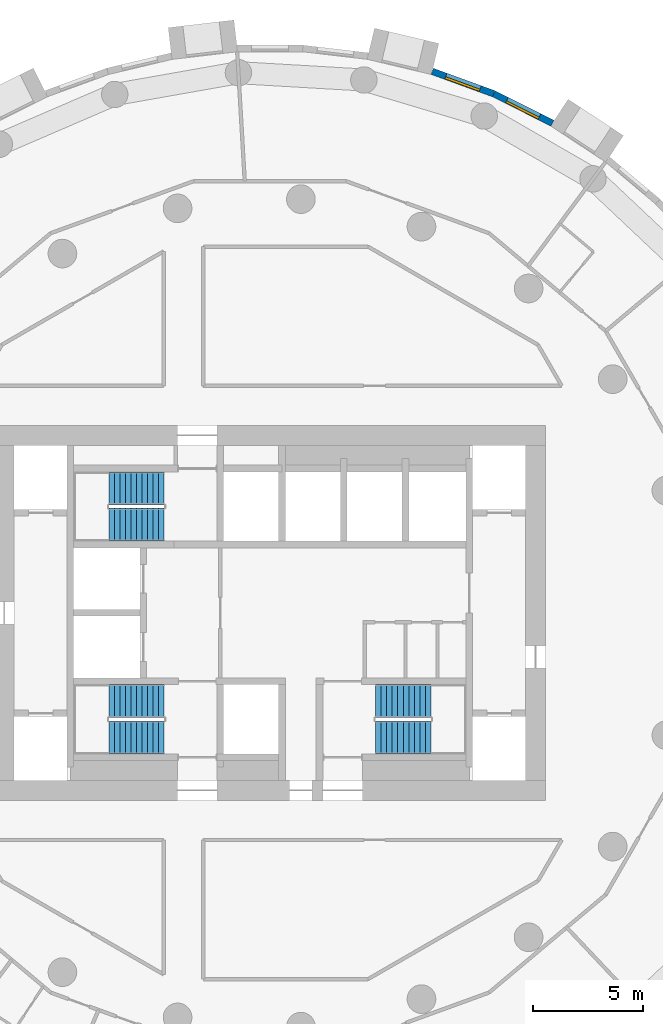
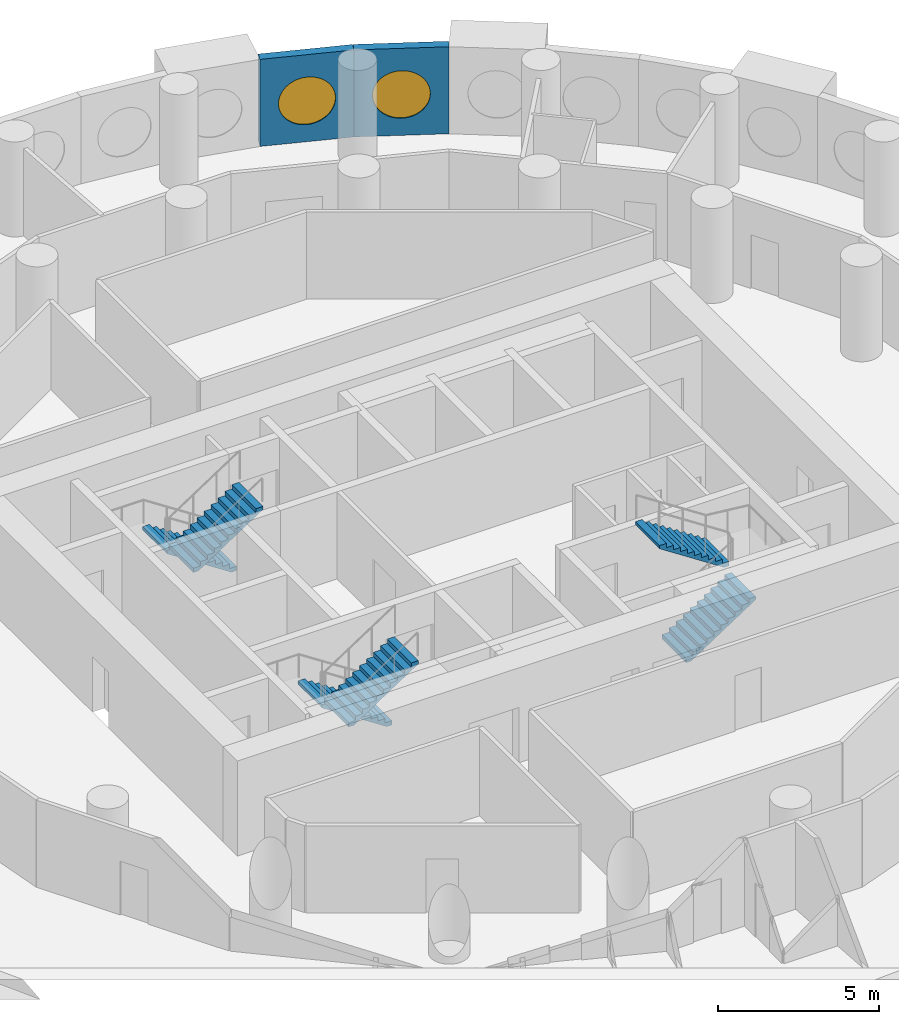
# One storey, part 8 of 9: 6 stair flights, 2 walls, 2 windows, 2 openings, 3 elements without a shape of their own.
"""IFC4 building model written with IfcOpenShell, lengths in metres."""

import ifcopenshell
import ifcopenshell.guid

model = None  # the IFC model being written
_history = None  # IfcOwnerHistory: only IFC2X3 demands one
_inside = {}  # id of a spatial element -> (the spatial element, [elements in it])
_under = {}  # id of a project, library or spatial element -> (it, [spatial elements below it])
_declared = {}  # id of a project -> (the project, [libraries it declares])
_typed = {}  # id of a type object -> (the type object, [elements of that type])
_made_of = {}  # id of a material, layer set ... -> (it, [elements and type objects made of it])


def new_model(schema):
    """Start an empty IFC model of exactly this schema.

    Asked for "IFC4X3", IfcOpenShell would pick the latest addendum, in which some entities
    have other attributes; the version numbers below select the first issue.
    IFC2X3 requires an IfcOwnerHistory on every rooted entity: one is made here for all.
    """
    global model, _history
    if schema == "IFC4X3":
        model = ifcopenshell.file(schema_version=(4, 3, 0, 0))
    else:
        model = ifcopenshell.file(schema=schema)
    _inside.clear()
    _under.clear()
    _declared.clear()
    _typed.clear()
    _made_of.clear()
    _history = None
    if model.schema == "IFC2X3":
        org = make("IfcOrganization", Name="unknown")
        user = make(
            "IfcPersonAndOrganization",
            ThePerson=make("IfcPerson", FamilyName="unknown"),
            TheOrganization=org,
        )
        app = make(
            "IfcApplication",
            ApplicationDeveloper=org,
            Version="unknown",
            ApplicationFullName="unknown",
            ApplicationIdentifier="unknown",
        )
        _history = make(
            "IfcOwnerHistory",
            OwningUser=user,
            OwningApplication=app,
            ChangeAction="ADDED",
            CreationDate=0,
        )
    return model


def make(cls, **values):
    """One entity of the class cls with the attributes given. An attribute that is None is left unset."""
    return model.create_entity(
        cls, **{name: value for name, value in values.items() if value is not None}
    )


def rooted(cls, **values):
    """An entity with a GlobalId (a new one), such as an element, a storey or a relation."""
    return make(cls, GlobalId=ifcopenshell.guid.new(), OwnerHistory=_history, **values)


def si_unit(unit_type, name, prefix=None):
    """IfcSIUnit, for example si_unit("LENGTHUNIT", "METRE", prefix="MILLI")."""
    return make("IfcSIUnit", UnitType=unit_type, Prefix=prefix, Name=name)


def assignment(units):
    """IfcUnitAssignment: the units of a project."""
    return None if units is None else make("IfcUnitAssignment", Units=units)


def point(xyz):
    """IfcCartesianPoint."""
    return None if xyz is None else make("IfcCartesianPoint", Coordinates=xyz)


def direction(xyz):
    """IfcDirection."""
    return None if xyz is None else make("IfcDirection", DirectionRatios=xyz)


def frame(location, z_axis=None, x_axis=None):
    """IfcAxis2Placement3D, a coordinate frame: its origin and axes. An axis left out is left unset."""
    return make(
        "IfcAxis2Placement3D",
        Location=point(location),
        Axis=direction(z_axis),
        RefDirection=direction(x_axis),
    )


def frame_2d(location, x_axis=None):
    """IfcAxis2Placement2D, a coordinate frame in the plane: its origin and x axis."""
    return make(
        "IfcAxis2Placement2D", Location=point(location), RefDirection=direction(x_axis)
    )


def origin():
    """The frame at (0, 0, 0) with its axes left unset."""
    return frame((0.0, 0.0, 0.0))


def origin_2d():
    """The frame at (0, 0) in the plane with its x axis left unset."""
    return frame_2d((0.0, 0.0))


def place(relative_to, where):
    """IfcLocalPlacement: puts the frame where relative to a parent placement (None: the world)."""
    return make(
        "IfcLocalPlacement", PlacementRelTo=relative_to, RelativePlacement=where
    )


def context(
    kind, dimensions, precision=None, world=None, true_north=None, identifier=None
):
    """IfcGeometricRepresentationContext, for example the 3D "Model" context."""
    return make(
        "IfcGeometricRepresentationContext",
        ContextIdentifier=identifier,
        ContextType=kind,
        CoordinateSpaceDimension=dimensions,
        Precision=precision,
        WorldCoordinateSystem=world,
        TrueNorth=true_north,
    )


def subcontext(parent, identifier, kind, view, scale=None):
    """IfcGeometricRepresentationSubContext, for example "Body" below "Model"."""
    return make(
        "IfcGeometricRepresentationSubContext",
        ContextIdentifier=identifier,
        ContextType=kind,
        ParentContext=parent,
        TargetScale=scale,
        TargetView=view,
    )


def project(units=None, contexts=None):
    """IfcProject with its units and contexts."""
    return rooted(
        "IfcProject",
        Name="project",
        RepresentationContexts=contexts,
        UnitsInContext=assignment(units),
    )


def spatial(cls, under=None, at=None, **own):
    """A site, building, storey or space (cls), placed at a placement, below another one or the project."""
    s = rooted(cls, ObjectPlacement=at, **own)
    if under is not None:
        _under.setdefault(under.id(), (under, []))[1].append(s)
    return s


def polyline(points):
    """IfcPolyline through the points."""
    return make("IfcPolyline", Points=[point(p) for p in points])


def profile(cls, at=None, kind="AREA", **sizes):
    """A parametric profile (cls). Its sizes go by their IFC names, for example OverallWidth=200.0."""
    return make(cls, ProfileType=kind, Position=at, **sizes)


def rectangle(**sizes):
    """IfcRectangleProfileDef."""
    return profile("IfcRectangleProfileDef", **sizes)


def circle(**sizes):
    """IfcCircleProfileDef."""
    return profile("IfcCircleProfileDef", **sizes)


def outline(outer, holes=None, kind="AREA"):
    """IfcArbitraryClosedProfileDef: a profile drawn as a closed curve; with holes, ...WithVoids."""
    if holes is None:
        return make("IfcArbitraryClosedProfileDef", ProfileType=kind, OuterCurve=outer)
    return make(
        "IfcArbitraryProfileDefWithVoids",
        ProfileType=kind,
        OuterCurve=outer,
        InnerCurves=holes,
    )


def extrude(swept, where, along, depth):
    """IfcExtrudedAreaSolid: the profile swept, set in the frame where, extruded along a direction by depth."""
    return make(
        "IfcExtrudedAreaSolid",
        SweptArea=swept,
        Position=where,
        ExtrudedDirection=direction(along),
        Depth=depth,
    )


def shape(context_of_items, identifier, shape_type, items):
    """IfcShapeRepresentation: the items that make up one representation, for example the "Body"."""
    return make(
        "IfcShapeRepresentation",
        ContextOfItems=context_of_items,
        RepresentationIdentifier=identifier,
        RepresentationType=shape_type,
        Items=items,
    )


def material(Name=None, Category=None):
    """IfcMaterial."""
    return make("IfcMaterial", Name=Name, Category=Category)


def layer(
    of_material, thickness, ventilated=None, Name=None, Category=None, Priority=None
):
    """IfcMaterialLayer: one layer of a wall or slab, of a material (None: an air gap)."""
    return make(
        "IfcMaterialLayer",
        Material=of_material,
        LayerThickness=thickness,
        IsVentilated=ventilated,
        Name=Name,
        Category=Category,
        Priority=Priority,
    )


def layer_set(layers, Name=None):
    """IfcMaterialLayerSet."""
    return make("IfcMaterialLayerSet", MaterialLayers=layers, LayerSetName=Name)


def made_of(thing, what):
    """Note that an element or type object is made of a material, layer set ...; save() writes the relation."""
    if what is not None:
        _made_of.setdefault(what.id(), (what, []))[1].append(thing)
    return thing


def type_object(cls, material=None, **own):
    """A type object (cls), such as IfcWallType, which elements share."""
    return made_of(rooted(cls, **own), material)


def element(
    cls,
    number,
    at=None,
    inside=None,
    cuts=None,
    type_object=None,
    material=None,
    context=None,
    identifier="Body",
    shape_type=None,
    held_by="IfcProductDefinitionShape",
    body=None,
    shapes=None,
    **own,
):
    """One element of the class cls, such as IfcWall. Its Tag is "e" and its number.

    at: its placement. inside: the storey or other place that contains it. cuts: it is an
    opening in that element (IfcRelVoidsElement). A single representation is given by context,
    identifier, shape_type and body (its items); several are given by shapes. held_by: the class
    of the entity that holds the representations. save() writes the other relations.
    """
    e = rooted(cls, Tag="e%d" % number, ObjectPlacement=at, **own)
    if body is not None:
        shapes = [shape(context, identifier, shape_type, body)]
    if shapes is not None:
        e.Representation = make(held_by, Representations=shapes)
    if inside is not None:
        _inside.setdefault(inside.id(), (inside, []))[1].append(e)
    if cuts is not None:
        rooted(
            "IfcRelVoidsElement", RelatingBuildingElement=cuts, RelatedOpeningElement=e
        )
    if type_object is not None:
        _typed.setdefault(type_object.id(), (type_object, []))[1].append(e)
    return made_of(e, material)


def fill(opening, filler):
    """IfcRelFillsElement: the door or window that sits in an opening."""
    return rooted(
        "IfcRelFillsElement",
        RelatingOpeningElement=opening,
        RelatedBuildingElement=filler,
    )


def aggregate(whole, parts):
    """IfcRelAggregates: a whole, such as a stair, and the parts it consists of."""
    return rooted("IfcRelAggregates", RelatingObject=whole, RelatedObjects=parts)


def save(model, path):
    """Write the relations noted so far, then the file.

    IfcRelAggregates (storeys below a building ...), IfcRelContainedInSpatialStructure (elements
    in a storey), IfcRelDefinesByType, IfcRelAssociatesMaterial and IfcRelDeclares: one each for
    every whole, place, type object, material and project.
    """
    for whole, parts in _under.values():
        aggregate(whole, parts)
    for where, things in _inside.values():
        rooted(
            "IfcRelContainedInSpatialStructure",
            RelatedElements=things,
            RelatingStructure=where,
        )
    for kind, things in _typed.values():
        rooted("IfcRelDefinesByType", RelatedObjects=things, RelatingType=kind)
    for what, things in _made_of.values():
        rooted("IfcRelAssociatesMaterial", RelatedObjects=things, RelatingMaterial=what)
    for by, libraries in _declared.values():
        rooted("IfcRelDeclares", RelatingContext=by, RelatedDefinitions=libraries)
    model.write(path)


model = new_model("IFC4")

# Units and contexts
model_context = context("Model", 3, precision=1e-05, world=origin(), true_north=direction((0.0, 1.0)))
body_context = subcontext(model_context, "Body", "Model", "MODEL_VIEW")
ifc_project = project(units=[si_unit("LENGTHUNIT", "METRE"), si_unit("AREAUNIT", "SQUARE_METRE"), si_unit("VOLUMEUNIT", "CUBIC_METRE"), si_unit("PLANEANGLEUNIT", "RADIAN"), si_unit("MASSUNIT", "GRAM", prefix="KILO")], contexts=[model_context])

# Site, building, storey
site_placement = place(None, origin())
site = spatial("IfcSite", under=ifc_project, at=site_placement, CompositionType="ELEMENT")
building_placement = place(site_placement, origin())
building = spatial("IfcBuilding", under=site, at=building_placement, Name="Tracery Tower", CompositionType="ELEMENT")
storey_placement = place(building_placement, frame((0.0, 0.0, 180.0)))
storey = spatial("IfcBuildingStorey", under=building, at=storey_placement, Name="L46", CompositionType="ELEMENT", Elevation=180.0)

# Wall, opening, window
ifc_material_1 = material(Name="Precast concrete C50/60", Category="concrete")
ifc_layer = layer(ifc_material_1, 0.300048828125)
ifc_layer_set = layer_set([ifc_layer], Name="Facade panel 3000 x 3300")
wall_type = type_object("IfcWallType", Name="Facade panel 3000 x 3300", PredefinedType="SOLIDWALL", material=ifc_layer_set)
wall_1_placement = place(storey_placement, frame((12.815185546875, 22.215576171875, 0.0), z_axis=(0.0, 0.0, 1.0), x_axis=(-0.893637442555, 0.448789618045, 0.0)))
wall_1 = element("IfcWall", 1, at=wall_1_placement, inside=storey, type_object=wall_type, Name="Facade panel 10 at L46", PredefinedType="SOLIDWALL", context=body_context, shape_type="SweptSolid", body=[
    extrude(rectangle(XDim=2.972900390625, YDim=0.300048828125, at=frame_2d((1.486328125, 0.0))), origin(), (0.0, 0.0, 1.0), 3.300048828125),
])
opening_1_placement = place(wall_1_placement, frame((1.486328125, 0.0, 1.5498046875)))
opening_1 = element("IfcOpeningElement", 2, at=opening_1_placement, cuts=wall_1, Name="Opening WN1", PredefinedType="OPENING", context=body_context, shape_type="SweptSolid", body=[
    extrude(circle(Radius=0.9000244140625, at=origin_2d()), frame((0.0, 0.159912109375, 0.0), z_axis=(0.0, -1.0, 0.0), x_axis=(1.0, 0.0, 0.0)), (0.0, 0.0, 1.0), 0.320068359375),
])
ifc_material_2 = material(Name="Aluminium frame with tinted double glazing", Category="aluminium")
window_type = type_object("IfcWindowType", Name="Round window 1800", PartitioningType="SINGLE_PANEL", PredefinedType="WINDOW", material=ifc_material_2)
window_1_placement = place(opening_1_placement, origin())
window_1 = element("IfcWindow", 3, at=window_1_placement, inside=storey, type_object=window_type, Name="Round window 10 at L46", OverallHeight=1.800048828125, OverallWidth=1.800048828125, PartitioningType="SINGLE_PANEL", PredefinedType="WINDOW", context=body_context, shape_type="SweptSolid", body=[
    extrude(circle(Radius=0.9000244140625, at=origin_2d()), frame((0.0, 0.1201171875, 0.0), z_axis=(0.0, -1.0, 0.0), x_axis=(1.0, 0.0, 0.0)), (0.0, 0.0, 1.0), 0.10009765625),
])
fill(opening_1, window_1)

wall_2_placement = place(storey_placement, frame((10.158447265625, 23.5498046875, 0.0), z_axis=(0.0, 0.0, 1.0), x_axis=(-0.939690282133, 0.342026568652, 0.0)))
wall_2 = element("IfcWall", 4, at=wall_2_placement, inside=storey, type_object=wall_type, Name="Facade panel 11 at L46", PredefinedType="SOLIDWALL", context=body_context, shape_type="SweptSolid", body=[
    extrude(rectangle(XDim=2.972900390625, YDim=0.300048828125, at=frame_2d((1.486328125, 0.0))), origin(), (0.0, 0.0, 1.0), 3.300048828125),
])
opening_2_placement = place(wall_2_placement, frame((1.486328125, 0.0, 1.5498046875)))
opening_2 = element("IfcOpeningElement", 5, at=opening_2_placement, cuts=wall_2, Name="Opening WN1", PredefinedType="OPENING", context=body_context, shape_type="SweptSolid", body=[
    extrude(circle(Radius=0.9000244140625, at=origin_2d()), frame((0.0, 0.159912109375, 0.0), z_axis=(0.0, -1.0, 0.0), x_axis=(1.0, 0.0, 0.0)), (0.0, 0.0, 1.0), 0.320068359375),
])
window_2_placement = place(opening_2_placement, origin())
window_2 = element("IfcWindow", 6, at=window_2_placement, inside=storey, type_object=window_type, Name="Round window 11 at L46", OverallHeight=1.800048828125, OverallWidth=1.800048828125, PartitioningType="SINGLE_PANEL", PredefinedType="WINDOW", context=body_context, shape_type="SweptSolid", body=[
    extrude(circle(Radius=0.9000244140625, at=origin_2d()), frame((0.0, 0.1201171875, 0.0), z_axis=(0.0, -1.0, 0.0), x_axis=(1.0, 0.0, 0.0)), (0.0, 0.0, 1.0), 0.10009765625),
])
fill(opening_2, window_2)

# Stair, stair flights
ifc_material_3 = material(Name="Concrete C32/40", Category="concrete")
stair_type = type_object("IfcStairType", Name="Core stair 22 risers", PredefinedType="HALF_TURN_STAIR", material=ifc_material_3)
stair_1_placement = place(storey_placement, origin())
stair_1 = element("IfcStair", 7, at=stair_1_placement, inside=storey, type_object=stair_type, Name="L46 stair ST1", PredefinedType="HALF_TURN_STAIR")
ifc_material_4 = material(Name="Concrete C32/40", Category="concrete")
stair_flight_type = type_object("IfcStairFlightType", Name="Core stair flight 11 risers", PredefinedType="STRAIGHT", material=ifc_material_4)
stair_flight_1_placement = place(storey_placement, frame((-4.800048828125, -4.0, 0.0), z_axis=(0.0, 0.0, 1.0), x_axis=(-1.0, 0.0, 0.0)))
stair_flight_1 = element("IfcStairFlight", 8, at=stair_flight_1_placement, type_object=stair_flight_type, Name="ST1 flight 1", NumberOfRisers=11, NumberOfTreads=10, PredefinedType="STRAIGHT", RiserHeight=0.163636364, TreadLength=0.25, context=body_context, shape_type="SweptSolid", body=[
    extrude(outline(polyline([(0.0, 0.0), (0.0, 0.002685546875), (0.0, 0.00537109375), (0.0, 0.008056640625), (0.0, 0.0107421875), (0.0, 0.013427734375), (0.0, 0.01611328125), (0.0, 0.018798828125), (0.0, 0.021484375), (0.0, 0.024169921875), (0.0, 0.02685546875), (0.0, 0.029541015625), (0.0, 0.0322265625), (0.0, 0.034912109375), (0.0, 0.03759765625), (0.0, 0.040283203125), (0.0, 0.04296875), (0.0, 0.045654296875), (0.0, 0.04833984375), (0.0, 0.051025390625), (0.0, 0.0537109375), (0.0, 0.056396484375), (0.0, 0.05908203125), (0.0, 0.061767578125), (0.0, 0.064453125), (0.0, 0.067138671875), (0.0, 0.06982421875), (0.0, 0.072509765625), (0.0, 0.0751953125), (0.0, 0.077880859375), (0.0, 0.08056640625), (0.0, 0.083251953125), (0.0, 0.0859375), (0.0, 0.088623046875), (0.0, 0.09130859375), (0.0, 0.093994140625), (0.0, 0.0966796875), (0.0, 0.099365234375), (0.0, 0.10205078125), (0.0, 0.104736328125), (0.0, 0.107421875), (0.0, 0.10986328125), (0.0, 0.112548828125), (0.0, 0.115234375), (0.0, 0.117919921875), (0.0, 0.12060546875), (0.0, 0.123291015625), (0.0, 0.1259765625), (0.0, 0.128662109375), (0.0, 0.13134765625), (0.0, 0.134033203125), (0.0, 0.13671875), (0.0, 0.139404296875), (0.0, 0.14208984375), (0.0, 0.144775390625), (0.0, 0.1474609375), (0.0, 0.150146484375), (0.0, 0.15283203125), (0.0, 0.155517578125), (0.0, 0.158203125), (0.0, 0.160888671875), (0.0, 0.16357421875), (0.25, 0.16357421875), (0.25, 0.327392578125), (0.5, 0.327392578125), (0.5, 0.490966796875), (0.75, 0.490966796875), (0.75, 0.654541015625), (1.0, 0.654541015625), (1.0, 0.818115234375), (1.25, 0.818115234375), (1.25, 0.98193359375), (1.5, 0.98193359375), (1.5, 1.1455078125), (1.75, 1.1455078125), (1.75, 1.30908203125), (2.0, 1.30908203125), (2.0, 1.47265625), (2.25, 1.47265625), (2.25, 1.636474609375), (2.5, 1.636474609375), (2.5, 1.634521484375), (2.5, 1.63232421875), (2.5, 1.63037109375), (2.5, 1.62841796875), (2.5, 1.62646484375), (2.5, 1.62451171875), (2.5, 1.62255859375), (2.5, 1.62060546875), (2.5, 1.61865234375), (2.5, 1.61669921875), (2.5, 1.61474609375), (2.5, 1.61279296875), (2.5, 1.61083984375), (2.5, 1.60888671875), (2.5, 1.60693359375), (2.5, 1.60498046875), (2.5, 1.60302734375), (2.5, 1.60107421875), (2.5, 1.59912109375), (2.5, 1.59716796875), (2.5, 1.59521484375), (2.5, 1.59326171875), (2.5, 1.59130859375), (2.5, 1.58935546875), (2.5, 1.58740234375), (2.5, 1.58544921875), (2.5, 1.58349609375), (2.5, 1.58154296875), (2.5, 1.57958984375), (2.5, 1.57763671875), (2.5, 1.57568359375), (2.5, 1.573486328125), (2.5, 1.571533203125), (2.5, 1.569580078125), (2.5, 1.567626953125), (2.5, 1.565673828125), (2.5, 1.563720703125), (2.5, 1.561767578125), (2.5, 1.559814453125), (2.5, 1.557861328125), (2.5, 1.555908203125), (2.5, 1.553955078125), (2.5, 1.552001953125), (2.5, 1.550048828125), (2.5, 1.548095703125), (2.5, 1.546142578125), (2.5, 1.544189453125), (2.5, 1.542236328125), (2.5, 1.540283203125), (2.5, 1.538330078125), (2.5, 1.536376953125), (2.5, 1.534423828125), (2.5, 1.532470703125), (2.5, 1.530517578125), (2.5, 1.528564453125), (2.5, 1.526611328125), (2.5, 1.524658203125), (2.5, 1.522705078125), (2.5, 1.520751953125), (2.5, 1.518798828125), (2.5, 1.516845703125), (0.182861328125, 0.0), (0.0, 0.0)])), frame((0.0, 0.75, 0.0), z_axis=(0.0, -1.0, 0.0), x_axis=(1.0, 0.0, 0.0)), (0.0, 0.0, 1.0), 1.5),
])
stair_flight_2_placement = place(storey_placement, frame((-7.300048828125, -5.64990234375, 1.800048828125), z_axis=(0.0, 0.0, 1.0), x_axis=(1.0, 0.0, 0.0)))
stair_flight_2 = element("IfcStairFlight", 9, at=stair_flight_2_placement, type_object=stair_flight_type, Name="ST1 flight 2", NumberOfRisers=11, NumberOfTreads=10, PredefinedType="STRAIGHT", RiserHeight=0.163636364, TreadLength=0.25, context=body_context, shape_type="SweptSolid", body=[
    extrude(outline(polyline([(0.0, 0.0), (0.0, 0.002685546875), (0.0, 0.00537109375), (0.0, 0.008056640625), (0.0, 0.0107421875), (0.0, 0.013427734375), (0.0, 0.01611328125), (0.0, 0.018798828125), (0.0, 0.021484375), (0.0, 0.024169921875), (0.0, 0.02685546875), (0.0, 0.029541015625), (0.0, 0.0322265625), (0.0, 0.034912109375), (0.0, 0.03759765625), (0.0, 0.040283203125), (0.0, 0.04296875), (0.0, 0.045654296875), (0.0, 0.04833984375), (0.0, 0.051025390625), (0.0, 0.0537109375), (0.0, 0.056396484375), (0.0, 0.05908203125), (0.0, 0.061767578125), (0.0, 0.064453125), (0.0, 0.067138671875), (0.0, 0.06982421875), (0.0, 0.072509765625), (0.0, 0.0751953125), (0.0, 0.077880859375), (0.0, 0.08056640625), (0.0, 0.083251953125), (0.0, 0.0859375), (0.0, 0.088623046875), (0.0, 0.09130859375), (0.0, 0.093994140625), (0.0, 0.0966796875), (0.0, 0.099365234375), (0.0, 0.10205078125), (0.0, 0.104736328125), (0.0, 0.107421875), (0.0, 0.10986328125), (0.0, 0.112548828125), (0.0, 0.115234375), (0.0, 0.117919921875), (0.0, 0.12060546875), (0.0, 0.123291015625), (0.0, 0.1259765625), (0.0, 0.128662109375), (0.0, 0.13134765625), (0.0, 0.134033203125), (0.0, 0.13671875), (0.0, 0.139404296875), (0.0, 0.14208984375), (0.0, 0.144775390625), (0.0, 0.1474609375), (0.0, 0.150146484375), (0.0, 0.15283203125), (0.0, 0.155517578125), (0.0, 0.158203125), (0.0, 0.160888671875), (0.0, 0.16357421875), (0.25, 0.16357421875), (0.25, 0.327392578125), (0.5, 0.327392578125), (0.5, 0.490966796875), (0.75, 0.490966796875), (0.75, 0.654541015625), (1.0, 0.654541015625), (1.0, 0.818115234375), (1.25, 0.818115234375), (1.25, 0.98193359375), (1.5, 0.98193359375), (1.5, 1.1455078125), (1.75, 1.1455078125), (1.75, 1.30908203125), (2.0, 1.30908203125), (2.0, 1.47265625), (2.25, 1.47265625), (2.25, 1.636474609375), (2.5, 1.636474609375), (2.5, 1.634521484375), (2.5, 1.63232421875), (2.5, 1.63037109375), (2.5, 1.62841796875), (2.5, 1.62646484375), (2.5, 1.62451171875), (2.5, 1.62255859375), (2.5, 1.62060546875), (2.5, 1.61865234375), (2.5, 1.61669921875), (2.5, 1.61474609375), (2.5, 1.61279296875), (2.5, 1.61083984375), (2.5, 1.60888671875), (2.5, 1.60693359375), (2.5, 1.60498046875), (2.5, 1.60302734375), (2.5, 1.60107421875), (2.5, 1.59912109375), (2.5, 1.59716796875), (2.5, 1.59521484375), (2.5, 1.59326171875), (2.5, 1.59130859375), (2.5, 1.58935546875), (2.5, 1.58740234375), (2.5, 1.58544921875), (2.5, 1.58349609375), (2.5, 1.58154296875), (2.5, 1.57958984375), (2.5, 1.57763671875), (2.5, 1.57568359375), (2.5, 1.573486328125), (2.5, 1.571533203125), (2.5, 1.569580078125), (2.5, 1.567626953125), (2.5, 1.565673828125), (2.5, 1.563720703125), (2.5, 1.561767578125), (2.5, 1.559814453125), (2.5, 1.557861328125), (2.5, 1.555908203125), (2.5, 1.553955078125), (2.5, 1.552001953125), (2.5, 1.550048828125), (2.5, 1.548095703125), (2.5, 1.546142578125), (2.5, 1.544189453125), (2.5, 1.542236328125), (2.5, 1.540283203125), (2.5, 1.538330078125), (2.5, 1.536376953125), (2.5, 1.534423828125), (2.5, 1.532470703125), (2.5, 1.530517578125), (2.5, 1.528564453125), (2.5, 1.526611328125), (2.5, 1.524658203125), (2.5, 1.522705078125), (2.5, 1.520751953125), (2.5, 1.518798828125), (2.5, 1.516845703125), (0.182861328125, 0.0), (0.0, 0.0)])), frame((0.0, 0.75, 0.0), z_axis=(0.0, -1.0, 0.0), x_axis=(1.0, 0.0, 0.0)), (0.0, 0.0, 1.0), 1.5),
])
aggregate(stair_1, [stair_flight_1, stair_flight_2])

stair_2_placement = place(storey_placement, origin())
stair_2 = element("IfcStair", 10, at=stair_2_placement, inside=storey, type_object=stair_type, Name="L46 stair ST3", PredefinedType="HALF_TURN_STAIR")
stair_flight_3_placement = place(storey_placement, frame((-4.800048828125, 5.64990234375, 0.0), z_axis=(0.0, 0.0, 1.0), x_axis=(-1.0, 0.0, 0.0)))
stair_flight_3 = element("IfcStairFlight", 11, at=stair_flight_3_placement, type_object=stair_flight_type, Name="ST3 flight 1", NumberOfRisers=11, NumberOfTreads=10, PredefinedType="STRAIGHT", RiserHeight=0.163636364, TreadLength=0.25, context=body_context, shape_type="SweptSolid", body=[
    extrude(outline(polyline([(0.0, 0.0), (0.0, 0.002685546875), (0.0, 0.00537109375), (0.0, 0.008056640625), (0.0, 0.0107421875), (0.0, 0.013427734375), (0.0, 0.01611328125), (0.0, 0.018798828125), (0.0, 0.021484375), (0.0, 0.024169921875), (0.0, 0.02685546875), (0.0, 0.029541015625), (0.0, 0.0322265625), (0.0, 0.034912109375), (0.0, 0.03759765625), (0.0, 0.040283203125), (0.0, 0.04296875), (0.0, 0.045654296875), (0.0, 0.04833984375), (0.0, 0.051025390625), (0.0, 0.0537109375), (0.0, 0.056396484375), (0.0, 0.05908203125), (0.0, 0.061767578125), (0.0, 0.064453125), (0.0, 0.067138671875), (0.0, 0.06982421875), (0.0, 0.072509765625), (0.0, 0.0751953125), (0.0, 0.077880859375), (0.0, 0.08056640625), (0.0, 0.083251953125), (0.0, 0.0859375), (0.0, 0.088623046875), (0.0, 0.09130859375), (0.0, 0.093994140625), (0.0, 0.0966796875), (0.0, 0.099365234375), (0.0, 0.10205078125), (0.0, 0.104736328125), (0.0, 0.107421875), (0.0, 0.10986328125), (0.0, 0.112548828125), (0.0, 0.115234375), (0.0, 0.117919921875), (0.0, 0.12060546875), (0.0, 0.123291015625), (0.0, 0.1259765625), (0.0, 0.128662109375), (0.0, 0.13134765625), (0.0, 0.134033203125), (0.0, 0.13671875), (0.0, 0.139404296875), (0.0, 0.14208984375), (0.0, 0.144775390625), (0.0, 0.1474609375), (0.0, 0.150146484375), (0.0, 0.15283203125), (0.0, 0.155517578125), (0.0, 0.158203125), (0.0, 0.160888671875), (0.0, 0.16357421875), (0.25, 0.16357421875), (0.25, 0.327392578125), (0.5, 0.327392578125), (0.5, 0.490966796875), (0.75, 0.490966796875), (0.75, 0.654541015625), (1.0, 0.654541015625), (1.0, 0.818115234375), (1.25, 0.818115234375), (1.25, 0.98193359375), (1.5, 0.98193359375), (1.5, 1.1455078125), (1.75, 1.1455078125), (1.75, 1.30908203125), (2.0, 1.30908203125), (2.0, 1.47265625), (2.25, 1.47265625), (2.25, 1.636474609375), (2.5, 1.636474609375), (2.5, 1.634521484375), (2.5, 1.63232421875), (2.5, 1.63037109375), (2.5, 1.62841796875), (2.5, 1.62646484375), (2.5, 1.62451171875), (2.5, 1.62255859375), (2.5, 1.62060546875), (2.5, 1.61865234375), (2.5, 1.61669921875), (2.5, 1.61474609375), (2.5, 1.61279296875), (2.5, 1.61083984375), (2.5, 1.60888671875), (2.5, 1.60693359375), (2.5, 1.60498046875), (2.5, 1.60302734375), (2.5, 1.60107421875), (2.5, 1.59912109375), (2.5, 1.59716796875), (2.5, 1.59521484375), (2.5, 1.59326171875), (2.5, 1.59130859375), (2.5, 1.58935546875), (2.5, 1.58740234375), (2.5, 1.58544921875), (2.5, 1.58349609375), (2.5, 1.58154296875), (2.5, 1.57958984375), (2.5, 1.57763671875), (2.5, 1.57568359375), (2.5, 1.573486328125), (2.5, 1.571533203125), (2.5, 1.569580078125), (2.5, 1.567626953125), (2.5, 1.565673828125), (2.5, 1.563720703125), (2.5, 1.561767578125), (2.5, 1.559814453125), (2.5, 1.557861328125), (2.5, 1.555908203125), (2.5, 1.553955078125), (2.5, 1.552001953125), (2.5, 1.550048828125), (2.5, 1.548095703125), (2.5, 1.546142578125), (2.5, 1.544189453125), (2.5, 1.542236328125), (2.5, 1.540283203125), (2.5, 1.538330078125), (2.5, 1.536376953125), (2.5, 1.534423828125), (2.5, 1.532470703125), (2.5, 1.530517578125), (2.5, 1.528564453125), (2.5, 1.526611328125), (2.5, 1.524658203125), (2.5, 1.522705078125), (2.5, 1.520751953125), (2.5, 1.518798828125), (2.5, 1.516845703125), (0.182861328125, 0.0), (0.0, 0.0)])), frame((0.0, 0.75, 0.0), z_axis=(0.0, -1.0, 0.0), x_axis=(1.0, 0.0, 0.0)), (0.0, 0.0, 1.0), 1.5),
])
stair_flight_4_placement = place(storey_placement, frame((-7.300048828125, 4.0, 1.800048828125), z_axis=(0.0, 0.0, 1.0), x_axis=(1.0, 0.0, 0.0)))
stair_flight_4 = element("IfcStairFlight", 12, at=stair_flight_4_placement, type_object=stair_flight_type, Name="ST3 flight 2", NumberOfRisers=11, NumberOfTreads=10, PredefinedType="STRAIGHT", RiserHeight=0.163636364, TreadLength=0.25, context=body_context, shape_type="SweptSolid", body=[
    extrude(outline(polyline([(0.0, 0.0), (0.0, 0.002685546875), (0.0, 0.00537109375), (0.0, 0.008056640625), (0.0, 0.0107421875), (0.0, 0.013427734375), (0.0, 0.01611328125), (0.0, 0.018798828125), (0.0, 0.021484375), (0.0, 0.024169921875), (0.0, 0.02685546875), (0.0, 0.029541015625), (0.0, 0.0322265625), (0.0, 0.034912109375), (0.0, 0.03759765625), (0.0, 0.040283203125), (0.0, 0.04296875), (0.0, 0.045654296875), (0.0, 0.04833984375), (0.0, 0.051025390625), (0.0, 0.0537109375), (0.0, 0.056396484375), (0.0, 0.05908203125), (0.0, 0.061767578125), (0.0, 0.064453125), (0.0, 0.067138671875), (0.0, 0.06982421875), (0.0, 0.072509765625), (0.0, 0.0751953125), (0.0, 0.077880859375), (0.0, 0.08056640625), (0.0, 0.083251953125), (0.0, 0.0859375), (0.0, 0.088623046875), (0.0, 0.09130859375), (0.0, 0.093994140625), (0.0, 0.0966796875), (0.0, 0.099365234375), (0.0, 0.10205078125), (0.0, 0.104736328125), (0.0, 0.107421875), (0.0, 0.10986328125), (0.0, 0.112548828125), (0.0, 0.115234375), (0.0, 0.117919921875), (0.0, 0.12060546875), (0.0, 0.123291015625), (0.0, 0.1259765625), (0.0, 0.128662109375), (0.0, 0.13134765625), (0.0, 0.134033203125), (0.0, 0.13671875), (0.0, 0.139404296875), (0.0, 0.14208984375), (0.0, 0.144775390625), (0.0, 0.1474609375), (0.0, 0.150146484375), (0.0, 0.15283203125), (0.0, 0.155517578125), (0.0, 0.158203125), (0.0, 0.160888671875), (0.0, 0.16357421875), (0.25, 0.16357421875), (0.25, 0.327392578125), (0.5, 0.327392578125), (0.5, 0.490966796875), (0.75, 0.490966796875), (0.75, 0.654541015625), (1.0, 0.654541015625), (1.0, 0.818115234375), (1.25, 0.818115234375), (1.25, 0.98193359375), (1.5, 0.98193359375), (1.5, 1.1455078125), (1.75, 1.1455078125), (1.75, 1.30908203125), (2.0, 1.30908203125), (2.0, 1.47265625), (2.25, 1.47265625), (2.25, 1.636474609375), (2.5, 1.636474609375), (2.5, 1.634521484375), (2.5, 1.63232421875), (2.5, 1.63037109375), (2.5, 1.62841796875), (2.5, 1.62646484375), (2.5, 1.62451171875), (2.5, 1.62255859375), (2.5, 1.62060546875), (2.5, 1.61865234375), (2.5, 1.61669921875), (2.5, 1.61474609375), (2.5, 1.61279296875), (2.5, 1.61083984375), (2.5, 1.60888671875), (2.5, 1.60693359375), (2.5, 1.60498046875), (2.5, 1.60302734375), (2.5, 1.60107421875), (2.5, 1.59912109375), (2.5, 1.59716796875), (2.5, 1.59521484375), (2.5, 1.59326171875), (2.5, 1.59130859375), (2.5, 1.58935546875), (2.5, 1.58740234375), (2.5, 1.58544921875), (2.5, 1.58349609375), (2.5, 1.58154296875), (2.5, 1.57958984375), (2.5, 1.57763671875), (2.5, 1.57568359375), (2.5, 1.573486328125), (2.5, 1.571533203125), (2.5, 1.569580078125), (2.5, 1.567626953125), (2.5, 1.565673828125), (2.5, 1.563720703125), (2.5, 1.561767578125), (2.5, 1.559814453125), (2.5, 1.557861328125), (2.5, 1.555908203125), (2.5, 1.553955078125), (2.5, 1.552001953125), (2.5, 1.550048828125), (2.5, 1.548095703125), (2.5, 1.546142578125), (2.5, 1.544189453125), (2.5, 1.542236328125), (2.5, 1.540283203125), (2.5, 1.538330078125), (2.5, 1.536376953125), (2.5, 1.534423828125), (2.5, 1.532470703125), (2.5, 1.530517578125), (2.5, 1.528564453125), (2.5, 1.526611328125), (2.5, 1.524658203125), (2.5, 1.522705078125), (2.5, 1.520751953125), (2.5, 1.518798828125), (2.5, 1.516845703125), (0.182861328125, 0.0), (0.0, 0.0)])), frame((0.0, 0.75, 0.0), z_axis=(0.0, -1.0, 0.0), x_axis=(1.0, 0.0, 0.0)), (0.0, 0.0, 1.0), 1.5),
])
aggregate(stair_2, [stair_flight_3, stair_flight_4])

stair_3_placement = place(storey_placement, origin())
stair_3 = element("IfcStair", 13, at=stair_3_placement, inside=storey, type_object=stair_type, Name="L46 stair ST2", PredefinedType="HALF_TURN_STAIR")
stair_flight_5_placement = place(storey_placement, frame((4.800048828125, -5.64990234375, 0.0), z_axis=(0.0, 0.0, 1.0), x_axis=(1.0, 0.0, 0.0)))
stair_flight_5 = element("IfcStairFlight", 14, at=stair_flight_5_placement, type_object=stair_flight_type, Name="ST2 flight 1", NumberOfRisers=11, NumberOfTreads=10, PredefinedType="STRAIGHT", RiserHeight=0.163636364, TreadLength=0.25, context=body_context, shape_type="SweptSolid", body=[
    extrude(outline(polyline([(0.0, 0.0), (0.0, 0.002685546875), (0.0, 0.00537109375), (0.0, 0.008056640625), (0.0, 0.0107421875), (0.0, 0.013427734375), (0.0, 0.01611328125), (0.0, 0.018798828125), (0.0, 0.021484375), (0.0, 0.024169921875), (0.0, 0.02685546875), (0.0, 0.029541015625), (0.0, 0.0322265625), (0.0, 0.034912109375), (0.0, 0.03759765625), (0.0, 0.040283203125), (0.0, 0.04296875), (0.0, 0.045654296875), (0.0, 0.04833984375), (0.0, 0.051025390625), (0.0, 0.0537109375), (0.0, 0.056396484375), (0.0, 0.05908203125), (0.0, 0.061767578125), (0.0, 0.064453125), (0.0, 0.067138671875), (0.0, 0.06982421875), (0.0, 0.072509765625), (0.0, 0.0751953125), (0.0, 0.077880859375), (0.0, 0.08056640625), (0.0, 0.083251953125), (0.0, 0.0859375), (0.0, 0.088623046875), (0.0, 0.09130859375), (0.0, 0.093994140625), (0.0, 0.0966796875), (0.0, 0.099365234375), (0.0, 0.10205078125), (0.0, 0.104736328125), (0.0, 0.107421875), (0.0, 0.10986328125), (0.0, 0.112548828125), (0.0, 0.115234375), (0.0, 0.117919921875), (0.0, 0.12060546875), (0.0, 0.123291015625), (0.0, 0.1259765625), (0.0, 0.128662109375), (0.0, 0.13134765625), (0.0, 0.134033203125), (0.0, 0.13671875), (0.0, 0.139404296875), (0.0, 0.14208984375), (0.0, 0.144775390625), (0.0, 0.1474609375), (0.0, 0.150146484375), (0.0, 0.15283203125), (0.0, 0.155517578125), (0.0, 0.158203125), (0.0, 0.160888671875), (0.0, 0.16357421875), (0.25, 0.16357421875), (0.25, 0.327392578125), (0.5, 0.327392578125), (0.5, 0.490966796875), (0.75, 0.490966796875), (0.75, 0.654541015625), (1.0, 0.654541015625), (1.0, 0.818115234375), (1.25, 0.818115234375), (1.25, 0.98193359375), (1.5, 0.98193359375), (1.5, 1.1455078125), (1.75, 1.1455078125), (1.75, 1.30908203125), (2.0, 1.30908203125), (2.0, 1.47265625), (2.25, 1.47265625), (2.25, 1.636474609375), (2.5, 1.636474609375), (2.5, 1.634521484375), (2.5, 1.63232421875), (2.5, 1.63037109375), (2.5, 1.62841796875), (2.5, 1.62646484375), (2.5, 1.62451171875), (2.5, 1.62255859375), (2.5, 1.62060546875), (2.5, 1.61865234375), (2.5, 1.61669921875), (2.5, 1.61474609375), (2.5, 1.61279296875), (2.5, 1.61083984375), (2.5, 1.60888671875), (2.5, 1.60693359375), (2.5, 1.60498046875), (2.5, 1.60302734375), (2.5, 1.60107421875), (2.5, 1.59912109375), (2.5, 1.59716796875), (2.5, 1.59521484375), (2.5, 1.59326171875), (2.5, 1.59130859375), (2.5, 1.58935546875), (2.5, 1.58740234375), (2.5, 1.58544921875), (2.5, 1.58349609375), (2.5, 1.58154296875), (2.5, 1.57958984375), (2.5, 1.57763671875), (2.5, 1.57568359375), (2.5, 1.573486328125), (2.5, 1.571533203125), (2.5, 1.569580078125), (2.5, 1.567626953125), (2.5, 1.565673828125), (2.5, 1.563720703125), (2.5, 1.561767578125), (2.5, 1.559814453125), (2.5, 1.557861328125), (2.5, 1.555908203125), (2.5, 1.553955078125), (2.5, 1.552001953125), (2.5, 1.550048828125), (2.5, 1.548095703125), (2.5, 1.546142578125), (2.5, 1.544189453125), (2.5, 1.542236328125), (2.5, 1.540283203125), (2.5, 1.538330078125), (2.5, 1.536376953125), (2.5, 1.534423828125), (2.5, 1.532470703125), (2.5, 1.530517578125), (2.5, 1.528564453125), (2.5, 1.526611328125), (2.5, 1.524658203125), (2.5, 1.522705078125), (2.5, 1.520751953125), (2.5, 1.518798828125), (2.5, 1.516845703125), (0.182861328125, 0.0), (0.0, 0.0)])), frame((0.0, 0.75, 0.0), z_axis=(0.0, -1.0, 0.0), x_axis=(1.0, 0.0, 0.0)), (0.0, 0.0, 1.0), 1.5),
])
stair_flight_6_placement = place(storey_placement, frame((7.300048828125, -4.0, 1.800048828125), z_axis=(0.0, 0.0, 1.0), x_axis=(-1.0, 0.0, 0.0)))
stair_flight_6 = element("IfcStairFlight", 15, at=stair_flight_6_placement, type_object=stair_flight_type, Name="ST2 flight 2", NumberOfRisers=11, NumberOfTreads=10, PredefinedType="STRAIGHT", RiserHeight=0.163636364, TreadLength=0.25, context=body_context, shape_type="SweptSolid", body=[
    extrude(outline(polyline([(0.0, 0.0), (0.0, 0.002685546875), (0.0, 0.00537109375), (0.0, 0.008056640625), (0.0, 0.0107421875), (0.0, 0.013427734375), (0.0, 0.01611328125), (0.0, 0.018798828125), (0.0, 0.021484375), (0.0, 0.024169921875), (0.0, 0.02685546875), (0.0, 0.029541015625), (0.0, 0.0322265625), (0.0, 0.034912109375), (0.0, 0.03759765625), (0.0, 0.040283203125), (0.0, 0.04296875), (0.0, 0.045654296875), (0.0, 0.04833984375), (0.0, 0.051025390625), (0.0, 0.0537109375), (0.0, 0.056396484375), (0.0, 0.05908203125), (0.0, 0.061767578125), (0.0, 0.064453125), (0.0, 0.067138671875), (0.0, 0.06982421875), (0.0, 0.072509765625), (0.0, 0.0751953125), (0.0, 0.077880859375), (0.0, 0.08056640625), (0.0, 0.083251953125), (0.0, 0.0859375), (0.0, 0.088623046875), (0.0, 0.09130859375), (0.0, 0.093994140625), (0.0, 0.0966796875), (0.0, 0.099365234375), (0.0, 0.10205078125), (0.0, 0.104736328125), (0.0, 0.107421875), (0.0, 0.10986328125), (0.0, 0.112548828125), (0.0, 0.115234375), (0.0, 0.117919921875), (0.0, 0.12060546875), (0.0, 0.123291015625), (0.0, 0.1259765625), (0.0, 0.128662109375), (0.0, 0.13134765625), (0.0, 0.134033203125), (0.0, 0.13671875), (0.0, 0.139404296875), (0.0, 0.14208984375), (0.0, 0.144775390625), (0.0, 0.1474609375), (0.0, 0.150146484375), (0.0, 0.15283203125), (0.0, 0.155517578125), (0.0, 0.158203125), (0.0, 0.160888671875), (0.0, 0.16357421875), (0.25, 0.16357421875), (0.25, 0.327392578125), (0.5, 0.327392578125), (0.5, 0.490966796875), (0.75, 0.490966796875), (0.75, 0.654541015625), (1.0, 0.654541015625), (1.0, 0.818115234375), (1.25, 0.818115234375), (1.25, 0.98193359375), (1.5, 0.98193359375), (1.5, 1.1455078125), (1.75, 1.1455078125), (1.75, 1.30908203125), (2.0, 1.30908203125), (2.0, 1.47265625), (2.25, 1.47265625), (2.25, 1.636474609375), (2.5, 1.636474609375), (2.5, 1.634521484375), (2.5, 1.63232421875), (2.5, 1.63037109375), (2.5, 1.62841796875), (2.5, 1.62646484375), (2.5, 1.62451171875), (2.5, 1.62255859375), (2.5, 1.62060546875), (2.5, 1.61865234375), (2.5, 1.61669921875), (2.5, 1.61474609375), (2.5, 1.61279296875), (2.5, 1.61083984375), (2.5, 1.60888671875), (2.5, 1.60693359375), (2.5, 1.60498046875), (2.5, 1.60302734375), (2.5, 1.60107421875), (2.5, 1.59912109375), (2.5, 1.59716796875), (2.5, 1.59521484375), (2.5, 1.59326171875), (2.5, 1.59130859375), (2.5, 1.58935546875), (2.5, 1.58740234375), (2.5, 1.58544921875), (2.5, 1.58349609375), (2.5, 1.58154296875), (2.5, 1.57958984375), (2.5, 1.57763671875), (2.5, 1.57568359375), (2.5, 1.573486328125), (2.5, 1.571533203125), (2.5, 1.569580078125), (2.5, 1.567626953125), (2.5, 1.565673828125), (2.5, 1.563720703125), (2.5, 1.561767578125), (2.5, 1.559814453125), (2.5, 1.557861328125), (2.5, 1.555908203125), (2.5, 1.553955078125), (2.5, 1.552001953125), (2.5, 1.550048828125), (2.5, 1.548095703125), (2.5, 1.546142578125), (2.5, 1.544189453125), (2.5, 1.542236328125), (2.5, 1.540283203125), (2.5, 1.538330078125), (2.5, 1.536376953125), (2.5, 1.534423828125), (2.5, 1.532470703125), (2.5, 1.530517578125), (2.5, 1.528564453125), (2.5, 1.526611328125), (2.5, 1.524658203125), (2.5, 1.522705078125), (2.5, 1.520751953125), (2.5, 1.518798828125), (2.5, 1.516845703125), (0.182861328125, 0.0), (0.0, 0.0)])), frame((0.0, 0.75, 0.0), z_axis=(0.0, -1.0, 0.0), x_axis=(1.0, 0.0, 0.0)), (0.0, 0.0, 1.0), 1.5),
])
aggregate(stair_3, [stair_flight_5, stair_flight_6])

save(model, "model.ifc")
